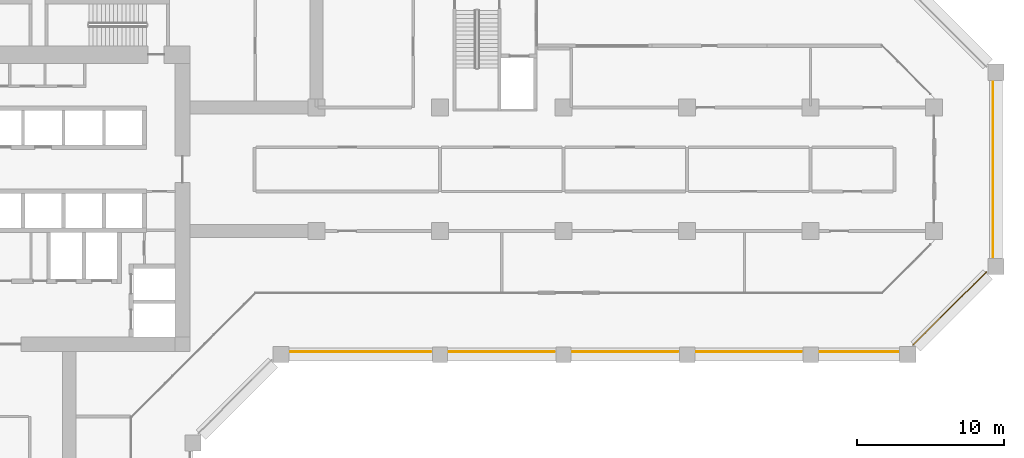
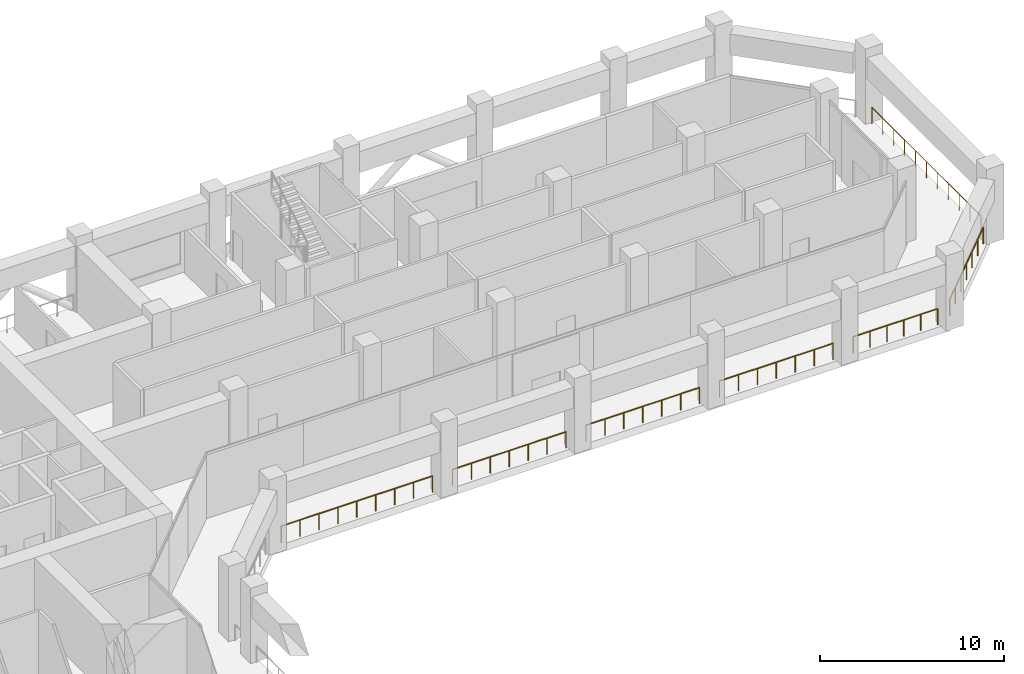
# One storey, part 16 of 19: 7 railings.
"""IFC4 building model written with IfcOpenShell, lengths in metres."""

from ifc_helpers import new_model, si_unit, direction, frame, origin, origin_2d, place, context, subcontext, project, spatial, circle, extrude, material, type_object, element, save


model = new_model("IFC4")

# Units and contexts
model_context = context("Model", 3, precision=1e-05, world=origin(), true_north=direction((0.0, 1.0)))
body_context = subcontext(model_context, "Body", "Model", "MODEL_VIEW")
ifc_project = project(units=[si_unit("LENGTHUNIT", "METRE"), si_unit("AREAUNIT", "SQUARE_METRE"), si_unit("VOLUMEUNIT", "CUBIC_METRE"), si_unit("PLANEANGLEUNIT", "RADIAN"), si_unit("MASSUNIT", "GRAM", prefix="KILO")], contexts=[model_context])

# Site, building, storey
site_placement = place(None, origin())
site = spatial("IfcSite", under=ifc_project, at=site_placement, CompositionType="ELEMENT")
building_placement = place(site_placement, origin())
building = spatial("IfcBuilding", under=site, at=building_placement, Name="Kawkab Arch Medical Tower", CompositionType="ELEMENT")
storey_placement = place(building_placement, frame((0.0, 0.0, 93.800048828125)))
storey = spatial("IfcBuildingStorey", under=building, at=storey_placement, Name="L21", CompositionType="ELEMENT", Elevation=93.800048828125)

# Railings
ifc_material = material(Name="Bronze anodised aluminium guard", Category="aluminium")
railing_type = type_object("IfcRailingType", Name="Loggia and terrace guard 1100", PredefinedType="GUARDRAIL", material=ifc_material)
railing_1_placement = place(storey_placement, frame((31.85498046875, -25.0, 0.0)))
element("IfcRailing", 1, at=railing_1_placement, inside=storey, type_object=railing_type, Name="Guard L21.REF-01.1.16", PredefinedType="GUARDRAIL", context=body_context, shape_type="SweptSolid", body=[
    extrude(circle(Radius=0.02392578125, at=origin_2d()), frame((0.0, 0.0, 1.076171875), z_axis=(1.0, 0.0, 0.0), x_axis=(0.0, 1.0, 0.0)), (0.0, 0.0, 1.0), 9.51513671875),
    extrude(circle(Radius=0.02099609375, at=origin_2d()), origin(), (0.0, 0.0, 1.0), 1.052001953125),
    extrude(circle(Radius=0.02099609375, at=origin_2d()), frame((1.189453125, 0.0, 0.0)), (0.0, 0.0, 1.0), 1.052001953125),
    extrude(circle(Radius=0.02099609375, at=origin_2d()), frame((2.37890625, 0.0, 0.0)), (0.0, 0.0, 1.0), 1.052001953125),
    extrude(circle(Radius=0.02099609375, at=origin_2d()), frame((3.568115234375, 0.0, 0.0)), (0.0, 0.0, 1.0), 1.052001953125),
    extrude(circle(Radius=0.02099609375, at=origin_2d()), frame((4.757568359375, 0.0, 0.0)), (0.0, 0.0, 1.0), 1.052001953125),
    extrude(circle(Radius=0.02099609375, at=origin_2d()), frame((5.947021484375, 0.0, 0.0)), (0.0, 0.0, 1.0), 1.052001953125),
    extrude(circle(Radius=0.02099609375, at=origin_2d()), frame((7.13623046875, 0.0, 0.0)), (0.0, 0.0, 1.0), 1.052001953125),
    extrude(circle(Radius=0.02099609375, at=origin_2d()), frame((8.32568359375, 0.0, 0.0)), (0.0, 0.0, 1.0), 1.052001953125),
    extrude(circle(Radius=0.02099609375, at=origin_2d()), frame((9.51513671875, 0.0, 0.0)), (0.0, 0.0, 1.0), 1.052001953125),
])
railing_2_placement = place(storey_placement, frame((42.6298828125, -25.0, 0.0)))
element("IfcRailing", 2, at=railing_2_placement, inside=storey, type_object=railing_type, Name="Guard L21.REF-01.1.17", PredefinedType="GUARDRAIL", context=body_context, shape_type="SweptSolid", body=[
    extrude(circle(Radius=0.02392578125, at=origin_2d()), frame((0.0, 0.0, 1.076171875), z_axis=(1.0, 0.0, 0.0), x_axis=(0.0, 1.0, 0.0)), (0.0, 0.0, 1.0), 7.14013671875),
    extrude(circle(Radius=0.02099609375, at=origin_2d()), origin(), (0.0, 0.0, 1.0), 1.052001953125),
    extrude(circle(Radius=0.02099609375, at=origin_2d()), frame((1.18994140625, 0.0, 0.0)), (0.0, 0.0, 1.0), 1.052001953125),
    extrude(circle(Radius=0.02099609375, at=origin_2d()), frame((2.380126953125, 0.0, 0.0)), (0.0, 0.0, 1.0), 1.052001953125),
    extrude(circle(Radius=0.02099609375, at=origin_2d()), frame((3.570068359375, 0.0, 0.0)), (0.0, 0.0, 1.0), 1.052001953125),
    extrude(circle(Radius=0.02099609375, at=origin_2d()), frame((4.760009765625, 0.0, 0.0)), (0.0, 0.0, 1.0), 1.052001953125),
    extrude(circle(Radius=0.02099609375, at=origin_2d()), frame((5.9501953125, 0.0, 0.0)), (0.0, 0.0, 1.0), 1.052001953125),
    extrude(circle(Radius=0.02099609375, at=origin_2d()), frame((7.14013671875, 0.0, 0.0)), (0.0, 0.0, 1.0), 1.052001953125),
])
railing_3_placement = place(storey_placement, frame((51.030029296875, -25.0, 0.0)))
element("IfcRailing", 3, at=railing_3_placement, inside=storey, type_object=railing_type, Name="Guard L21.REF-01.1.18", PredefinedType="GUARDRAIL", context=body_context, shape_type="SweptSolid", body=[
    extrude(circle(Radius=0.02392578125, at=origin_2d()), frame((0.0, 0.0, 1.076171875), z_axis=(1.0, 0.0, 0.0), x_axis=(0.0, 1.0, 0.0)), (0.0, 0.0, 1.0), 7.139892578125),
    extrude(circle(Radius=0.02099609375, at=origin_2d()), origin(), (0.0, 0.0, 1.0), 1.052001953125),
    extrude(circle(Radius=0.02099609375, at=origin_2d()), frame((1.18994140625, 0.0, 0.0)), (0.0, 0.0, 1.0), 1.052001953125),
    extrude(circle(Radius=0.02099609375, at=origin_2d()), frame((2.3798828125, 0.0, 0.0)), (0.0, 0.0, 1.0), 1.052001953125),
    extrude(circle(Radius=0.02099609375, at=origin_2d()), frame((3.56982421875, 0.0, 0.0)), (0.0, 0.0, 1.0), 1.052001953125),
    extrude(circle(Radius=0.02099609375, at=origin_2d()), frame((4.760009765625, 0.0, 0.0)), (0.0, 0.0, 1.0), 1.052001953125),
    extrude(circle(Radius=0.02099609375, at=origin_2d()), frame((5.949951171875, 0.0, 0.0)), (0.0, 0.0, 1.0), 1.052001953125),
    extrude(circle(Radius=0.02099609375, at=origin_2d()), frame((7.139892578125, 0.0, 0.0)), (0.0, 0.0, 1.0), 1.052001953125),
])
railing_4_placement = place(storey_placement, frame((59.429931640625, -25.0, 0.0)))
element("IfcRailing", 4, at=railing_4_placement, inside=storey, type_object=railing_type, Name="Guard L21.REF-01.1.19", PredefinedType="GUARDRAIL", context=body_context, shape_type="SweptSolid", body=[
    extrude(circle(Radius=0.02392578125, at=origin_2d()), frame((0.0, 0.0, 1.076171875), z_axis=(1.0, 0.0, 0.0), x_axis=(0.0, 1.0, 0.0)), (0.0, 0.0, 1.0), 7.14013671875),
    extrude(circle(Radius=0.02099609375, at=origin_2d()), origin(), (0.0, 0.0, 1.0), 1.052001953125),
    extrude(circle(Radius=0.02099609375, at=origin_2d()), frame((1.18994140625, 0.0, 0.0)), (0.0, 0.0, 1.0), 1.052001953125),
    extrude(circle(Radius=0.02099609375, at=origin_2d()), frame((2.380126953125, 0.0, 0.0)), (0.0, 0.0, 1.0), 1.052001953125),
    extrude(circle(Radius=0.02099609375, at=origin_2d()), frame((3.570068359375, 0.0, 0.0)), (0.0, 0.0, 1.0), 1.052001953125),
    extrude(circle(Radius=0.02099609375, at=origin_2d()), frame((4.760009765625, 0.0, 0.0)), (0.0, 0.0, 1.0), 1.052001953125),
    extrude(circle(Radius=0.02099609375, at=origin_2d()), frame((5.9501953125, 0.0, 0.0)), (0.0, 0.0, 1.0), 1.052001953125),
    extrude(circle(Radius=0.02099609375, at=origin_2d()), frame((7.14013671875, 0.0, 0.0)), (0.0, 0.0, 1.0), 1.052001953125),
])
railing_5_placement = place(storey_placement, frame((67.830078125, -25.0, 0.0)))
element("IfcRailing", 5, at=railing_5_placement, inside=storey, type_object=railing_type, Name="Guard L21.REF-01.1.20", PredefinedType="GUARDRAIL", context=body_context, shape_type="SweptSolid", body=[
    extrude(circle(Radius=0.02392578125, at=origin_2d()), frame((0.0, 0.0, 1.076171875), z_axis=(1.0, 0.0, 0.0), x_axis=(0.0, 1.0, 0.0)), (0.0, 0.0, 1.0), 5.31494140625),
    extrude(circle(Radius=0.02099609375, at=origin_2d()), origin(), (0.0, 0.0, 1.0), 1.052001953125),
    extrude(circle(Radius=0.02099609375, at=origin_2d()), frame((1.06298828125, 0.0, 0.0)), (0.0, 0.0, 1.0), 1.052001953125),
    extrude(circle(Radius=0.02099609375, at=origin_2d()), frame((2.1259765625, 0.0, 0.0)), (0.0, 0.0, 1.0), 1.052001953125),
    extrude(circle(Radius=0.02099609375, at=origin_2d()), frame((3.18896484375, 0.0, 0.0)), (0.0, 0.0, 1.0), 1.052001953125),
    extrude(circle(Radius=0.02099609375, at=origin_2d()), frame((4.251953125, 0.0, 0.0)), (0.0, 0.0, 1.0), 1.052001953125),
    extrude(circle(Radius=0.02099609375, at=origin_2d()), frame((5.31494140625, 0.0, 0.0)), (0.0, 0.0, 1.0), 1.052001953125),
])
railing_6_placement = place(storey_placement, frame((74.172119140625, -24.544921875, 0.0)))
element("IfcRailing", 6, at=railing_6_placement, inside=storey, type_object=railing_type, Name="Guard L21.REF-01.1.21", PredefinedType="GUARDRAIL", context=body_context, shape_type="SweptSolid", body=[
    extrude(circle(Radius=0.02392578125, at=origin_2d()), frame((0.0, 0.0, 1.076171875), z_axis=(0.707106781187, 0.707106781187, 0.0), x_axis=(-0.707106781187, 0.707106781187, 0.0)), (0.0, 0.0, 1.0), 7.03271484375),
    extrude(circle(Radius=0.02099609375, at=origin_2d()), origin(), (0.0, 0.0, 1.0), 1.052001953125),
    extrude(circle(Radius=0.02099609375, at=origin_2d()), frame((0.828857421875, 0.828857421875, 0.0)), (0.0, 0.0, 1.0), 1.052001953125),
    extrude(circle(Radius=0.02099609375, at=origin_2d()), frame((1.65771484375, 1.65771484375, 0.0)), (0.0, 0.0, 1.0), 1.052001953125),
    extrude(circle(Radius=0.02099609375, at=origin_2d()), frame((2.486328125, 2.486328125, 0.0)), (0.0, 0.0, 1.0), 1.052001953125),
    extrude(circle(Radius=0.02099609375, at=origin_2d()), frame((3.315185546875, 3.315185546875, 0.0)), (0.0, 0.0, 1.0), 1.052001953125),
    extrude(circle(Radius=0.02099609375, at=origin_2d()), frame((4.14404296875, 4.14404296875, 0.0)), (0.0, 0.0, 1.0), 1.052001953125),
    extrude(circle(Radius=0.02099609375, at=origin_2d()), frame((4.972900390625, 4.972900390625, 0.0)), (0.0, 0.0, 1.0), 1.052001953125),
])
railing_7_placement = place(storey_placement, frame((79.60009765625, -18.544921875, 0.0)))
element("IfcRailing", 7, at=railing_7_placement, inside=storey, type_object=railing_type, Name="Guard L21.REF-01.1.22", PredefinedType="GUARDRAIL", context=body_context, shape_type="SweptSolid", body=[
    extrude(circle(Radius=0.02392578125, at=origin_2d()), frame((0.0, 0.0, 1.076171875), z_axis=(0.0, 1.0, 0.0), x_axis=(-1.0, 0.0, 0.0)), (0.0, 0.0, 1.0), 11.889892578125),
    extrude(circle(Radius=0.02099609375, at=origin_2d()), origin(), (0.0, 0.0, 1.0), 1.052001953125),
    extrude(circle(Radius=0.02099609375, at=origin_2d()), frame((0.0, 1.18896484375, 0.0)), (0.0, 0.0, 1.0), 1.052001953125),
    extrude(circle(Radius=0.02099609375, at=origin_2d()), frame((0.0, 2.3779296875, 0.0)), (0.0, 0.0, 1.0), 1.052001953125),
    extrude(circle(Radius=0.02099609375, at=origin_2d()), frame((0.0, 3.56689453125, 0.0)), (0.0, 0.0, 1.0), 1.052001953125),
    extrude(circle(Radius=0.02099609375, at=origin_2d()), frame((0.0, 4.755859375, 0.0)), (0.0, 0.0, 1.0), 1.052001953125),
    extrude(circle(Radius=0.02099609375, at=origin_2d()), frame((0.0, 5.94482421875, 0.0)), (0.0, 0.0, 1.0), 1.052001953125),
    extrude(circle(Radius=0.02099609375, at=origin_2d()), frame((0.0, 7.134033203125, 0.0)), (0.0, 0.0, 1.0), 1.052001953125),
    extrude(circle(Radius=0.02099609375, at=origin_2d()), frame((0.0, 8.322998046875, 0.0)), (0.0, 0.0, 1.0), 1.052001953125),
    extrude(circle(Radius=0.02099609375, at=origin_2d()), frame((0.0, 9.511962890625, 0.0)), (0.0, 0.0, 1.0), 1.052001953125),
    extrude(circle(Radius=0.02099609375, at=origin_2d()), frame((0.0, 10.700927734375, 0.0)), (0.0, 0.0, 1.0), 1.052001953125),
    extrude(circle(Radius=0.02099609375, at=origin_2d()), frame((0.0, 11.889892578125, 0.0)), (0.0, 0.0, 1.0), 1.052001953125),
])

save(model, "model.ifc")
